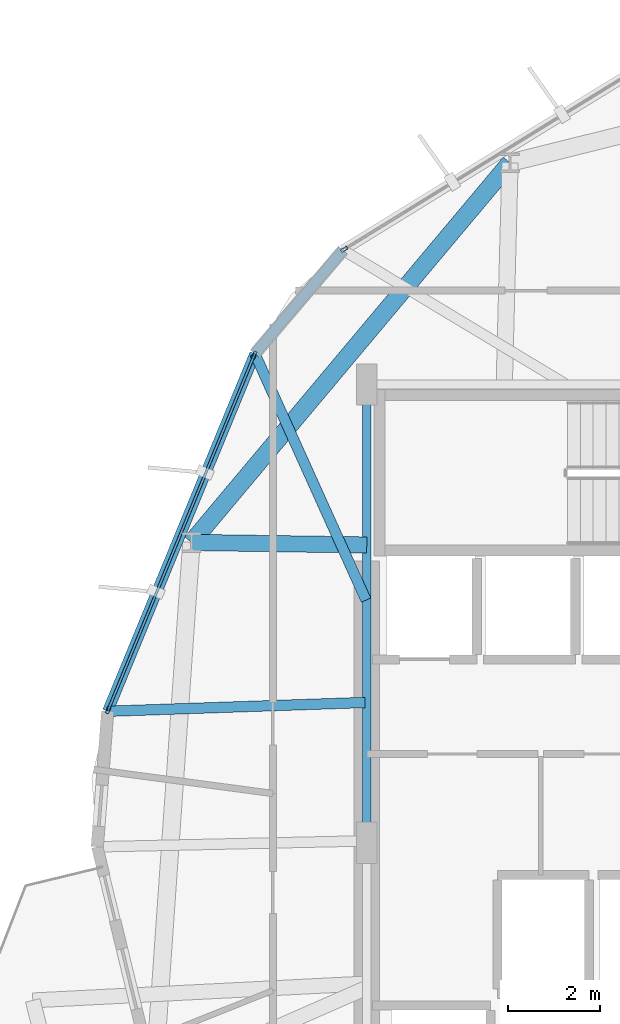
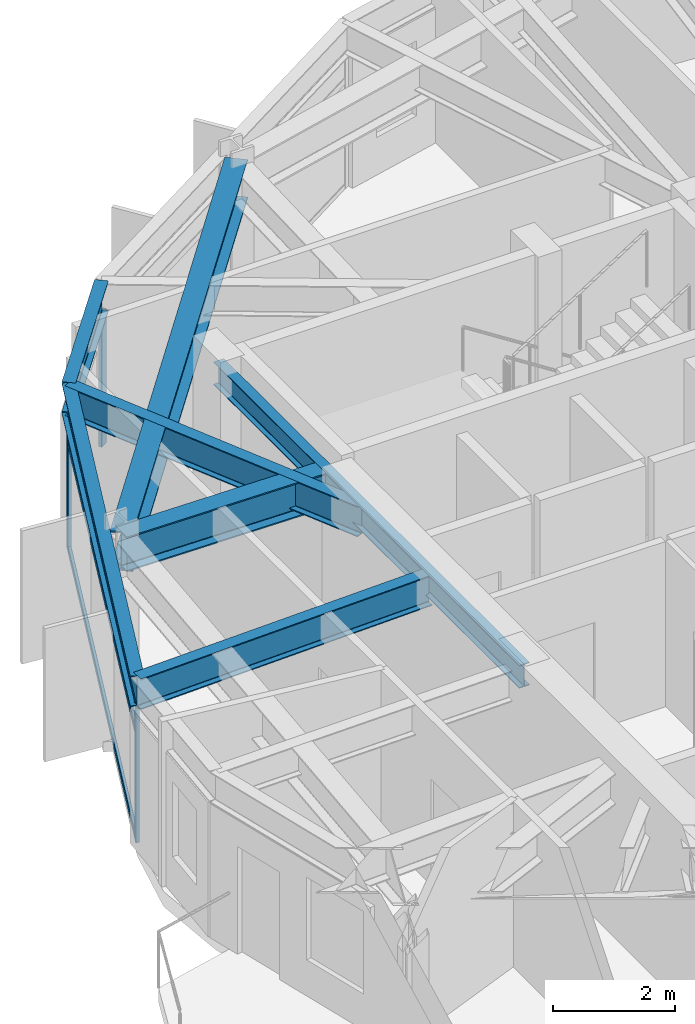
# One storey, part 6 of 21: 7 beams, 6 members, 2 elements without a shape of their own.
"""IFC4 building model written with IfcOpenShell, lengths in metres."""

import ifcopenshell
import ifcopenshell.guid

model = None  # the IFC model being written
_history = None  # IfcOwnerHistory: only IFC2X3 demands one
_inside = {}  # id of a spatial element -> (the spatial element, [elements in it])
_under = {}  # id of a project, library or spatial element -> (it, [spatial elements below it])
_declared = {}  # id of a project -> (the project, [libraries it declares])
_typed = {}  # id of a type object -> (the type object, [elements of that type])
_made_of = {}  # id of a material, layer set ... -> (it, [elements and type objects made of it])


def new_model(schema):
    """Start an empty IFC model of exactly this schema.

    Asked for "IFC4X3", IfcOpenShell would pick the latest addendum, in which some entities
    have other attributes; the version numbers below select the first issue.
    IFC2X3 requires an IfcOwnerHistory on every rooted entity: one is made here for all.
    """
    global model, _history
    if schema == "IFC4X3":
        model = ifcopenshell.file(schema_version=(4, 3, 0, 0))
    else:
        model = ifcopenshell.file(schema=schema)
    _inside.clear()
    _under.clear()
    _declared.clear()
    _typed.clear()
    _made_of.clear()
    _history = None
    if model.schema == "IFC2X3":
        org = make("IfcOrganization", Name="unknown")
        user = make(
            "IfcPersonAndOrganization",
            ThePerson=make("IfcPerson", FamilyName="unknown"),
            TheOrganization=org,
        )
        app = make(
            "IfcApplication",
            ApplicationDeveloper=org,
            Version="unknown",
            ApplicationFullName="unknown",
            ApplicationIdentifier="unknown",
        )
        _history = make(
            "IfcOwnerHistory",
            OwningUser=user,
            OwningApplication=app,
            ChangeAction="ADDED",
            CreationDate=0,
        )
    return model


def make(cls, **values):
    """One entity of the class cls with the attributes given. An attribute that is None is left unset."""
    return model.create_entity(
        cls, **{name: value for name, value in values.items() if value is not None}
    )


def rooted(cls, **values):
    """An entity with a GlobalId (a new one), such as an element, a storey or a relation."""
    return make(cls, GlobalId=ifcopenshell.guid.new(), OwnerHistory=_history, **values)


def si_unit(unit_type, name, prefix=None):
    """IfcSIUnit, for example si_unit("LENGTHUNIT", "METRE", prefix="MILLI")."""
    return make("IfcSIUnit", UnitType=unit_type, Prefix=prefix, Name=name)


def assignment(units):
    """IfcUnitAssignment: the units of a project."""
    return None if units is None else make("IfcUnitAssignment", Units=units)


def point(xyz):
    """IfcCartesianPoint."""
    return None if xyz is None else make("IfcCartesianPoint", Coordinates=xyz)


def direction(xyz):
    """IfcDirection."""
    return None if xyz is None else make("IfcDirection", DirectionRatios=xyz)


def frame(location, z_axis=None, x_axis=None):
    """IfcAxis2Placement3D, a coordinate frame: its origin and axes. An axis left out is left unset."""
    return make(
        "IfcAxis2Placement3D",
        Location=point(location),
        Axis=direction(z_axis),
        RefDirection=direction(x_axis),
    )


def frame_2d(location, x_axis=None):
    """IfcAxis2Placement2D, a coordinate frame in the plane: its origin and x axis."""
    return make(
        "IfcAxis2Placement2D", Location=point(location), RefDirection=direction(x_axis)
    )


def origin():
    """The frame at (0, 0, 0) with its axes left unset."""
    return frame((0.0, 0.0, 0.0))


def origin_2d():
    """The frame at (0, 0) in the plane with its x axis left unset."""
    return frame_2d((0.0, 0.0))


def place(relative_to, where):
    """IfcLocalPlacement: puts the frame where relative to a parent placement (None: the world)."""
    return make(
        "IfcLocalPlacement", PlacementRelTo=relative_to, RelativePlacement=where
    )


def context(
    kind, dimensions, precision=None, world=None, true_north=None, identifier=None
):
    """IfcGeometricRepresentationContext, for example the 3D "Model" context."""
    return make(
        "IfcGeometricRepresentationContext",
        ContextIdentifier=identifier,
        ContextType=kind,
        CoordinateSpaceDimension=dimensions,
        Precision=precision,
        WorldCoordinateSystem=world,
        TrueNorth=true_north,
    )


def subcontext(parent, identifier, kind, view, scale=None):
    """IfcGeometricRepresentationSubContext, for example "Body" below "Model"."""
    return make(
        "IfcGeometricRepresentationSubContext",
        ContextIdentifier=identifier,
        ContextType=kind,
        ParentContext=parent,
        TargetScale=scale,
        TargetView=view,
    )


def project(units=None, contexts=None):
    """IfcProject with its units and contexts."""
    return rooted(
        "IfcProject",
        Name="project",
        RepresentationContexts=contexts,
        UnitsInContext=assignment(units),
    )


def spatial(cls, under=None, at=None, **own):
    """A site, building, storey or space (cls), placed at a placement, below another one or the project."""
    s = rooted(cls, ObjectPlacement=at, **own)
    if under is not None:
        _under.setdefault(under.id(), (under, []))[1].append(s)
    return s


def profile(cls, at=None, kind="AREA", **sizes):
    """A parametric profile (cls). Its sizes go by their IFC names, for example OverallWidth=200.0."""
    return make(cls, ProfileType=kind, Position=at, **sizes)


def hollow_rectangle(**sizes):
    """IfcRectangleHollowProfileDef."""
    return profile("IfcRectangleHollowProfileDef", **sizes)


def i_section(**sizes):
    """IfcIShapeProfileDef."""
    return profile("IfcIShapeProfileDef", **sizes)


def extrude(swept, where, along, depth):
    """IfcExtrudedAreaSolid: the profile swept, set in the frame where, extruded along a direction by depth."""
    return make(
        "IfcExtrudedAreaSolid",
        SweptArea=swept,
        Position=where,
        ExtrudedDirection=direction(along),
        Depth=depth,
    )


def shape(context_of_items, identifier, shape_type, items):
    """IfcShapeRepresentation: the items that make up one representation, for example the "Body"."""
    return make(
        "IfcShapeRepresentation",
        ContextOfItems=context_of_items,
        RepresentationIdentifier=identifier,
        RepresentationType=shape_type,
        Items=items,
    )


def material(Name=None, Category=None):
    """IfcMaterial."""
    return make("IfcMaterial", Name=Name, Category=Category)


def layer(
    of_material, thickness, ventilated=None, Name=None, Category=None, Priority=None
):
    """IfcMaterialLayer: one layer of a wall or slab, of a material (None: an air gap)."""
    return make(
        "IfcMaterialLayer",
        Material=of_material,
        LayerThickness=thickness,
        IsVentilated=ventilated,
        Name=Name,
        Category=Category,
        Priority=Priority,
    )


def layer_set(layers, Name=None):
    """IfcMaterialLayerSet."""
    return make("IfcMaterialLayerSet", MaterialLayers=layers, LayerSetName=Name)


def material_profile(
    of_material, cross_section, Name=None, Category=None, Priority=None
):
    """IfcMaterialProfile: a cross section and its material."""
    return make(
        "IfcMaterialProfile",
        Name=Name,
        Material=of_material,
        Profile=cross_section,
        Priority=Priority,
        Category=Category,
    )


def profile_set(profiles, Name=None, composite=None):
    """IfcMaterialProfileSet."""
    return make(
        "IfcMaterialProfileSet",
        Name=Name,
        MaterialProfiles=profiles,
        CompositeProfile=composite,
    )


def made_of(thing, what):
    """Note that an element or type object is made of a material, layer set ...; save() writes the relation."""
    if what is not None:
        _made_of.setdefault(what.id(), (what, []))[1].append(thing)
    return thing


def type_object(cls, material=None, **own):
    """A type object (cls), such as IfcWallType, which elements share."""
    return made_of(rooted(cls, **own), material)


def element(
    cls,
    number,
    at=None,
    inside=None,
    cuts=None,
    type_object=None,
    material=None,
    context=None,
    identifier="Body",
    shape_type=None,
    held_by="IfcProductDefinitionShape",
    body=None,
    shapes=None,
    **own,
):
    """One element of the class cls, such as IfcWall. Its Tag is "e" and its number.

    at: its placement. inside: the storey or other place that contains it. cuts: it is an
    opening in that element (IfcRelVoidsElement). A single representation is given by context,
    identifier, shape_type and body (its items); several are given by shapes. held_by: the class
    of the entity that holds the representations. save() writes the other relations.
    """
    e = rooted(cls, Tag="e%d" % number, ObjectPlacement=at, **own)
    if body is not None:
        shapes = [shape(context, identifier, shape_type, body)]
    if shapes is not None:
        e.Representation = make(held_by, Representations=shapes)
    if inside is not None:
        _inside.setdefault(inside.id(), (inside, []))[1].append(e)
    if cuts is not None:
        rooted(
            "IfcRelVoidsElement", RelatingBuildingElement=cuts, RelatedOpeningElement=e
        )
    if type_object is not None:
        _typed.setdefault(type_object.id(), (type_object, []))[1].append(e)
    return made_of(e, material)


def aggregate(whole, parts):
    """IfcRelAggregates: a whole, such as a stair, and the parts it consists of."""
    return rooted("IfcRelAggregates", RelatingObject=whole, RelatedObjects=parts)


def save(model, path):
    """Write the relations noted so far, then the file.

    IfcRelAggregates (storeys below a building ...), IfcRelContainedInSpatialStructure (elements
    in a storey), IfcRelDefinesByType, IfcRelAssociatesMaterial and IfcRelDeclares: one each for
    every whole, place, type object, material and project.
    """
    for whole, parts in _under.values():
        aggregate(whole, parts)
    for where, things in _inside.values():
        rooted(
            "IfcRelContainedInSpatialStructure",
            RelatedElements=things,
            RelatingStructure=where,
        )
    for kind, things in _typed.values():
        rooted("IfcRelDefinesByType", RelatedObjects=things, RelatingType=kind)
    for what, things in _made_of.values():
        rooted("IfcRelAssociatesMaterial", RelatedObjects=things, RelatingMaterial=what)
    for by, libraries in _declared.values():
        rooted("IfcRelDeclares", RelatingContext=by, RelatedDefinitions=libraries)
    model.write(path)


model = new_model("IFC4")

# Units and contexts
model_context = context("Model", 3, precision=1e-05, world=origin(), true_north=direction((0.0, 1.0)))
body_context = subcontext(model_context, "Body", "Model", "MODEL_VIEW")
ifc_project = project(units=[si_unit("LENGTHUNIT", "METRE"), si_unit("AREAUNIT", "SQUARE_METRE"), si_unit("VOLUMEUNIT", "CUBIC_METRE"), si_unit("PLANEANGLEUNIT", "RADIAN"), si_unit("MASSUNIT", "GRAM", prefix="KILO")], contexts=[model_context])

# Site, building, storey
site_placement = place(None, origin())
site = spatial("IfcSite", under=ifc_project, at=site_placement, CompositionType="ELEMENT")
building_placement = place(site_placement, origin())
building = spatial("IfcBuilding", under=site, at=building_placement, Name="Soratama Intermodal Tower", CompositionType="ELEMENT")
storey_placement = place(building_placement, frame((0.0, 0.0, 149.800048828125)))
storey = spatial("IfcBuildingStorey", under=building, at=storey_placement, Name="L36", CompositionType="ELEMENT", Elevation=149.800048828125)

# Beams
ifc_material_1 = material(Name="Structural steel ASTM A992 Grade 50", Category="steel")
ifc_material_profile_1 = material_profile(ifc_material_1, i_section(OverallWidth=0.19091796875, OverallDepth=0.4599609375, WebThickness=0.010009765625, FlangeThickness=0.01611328125, FilletRadius=0.010986328125, at=origin_2d()), Name="W18X55")
ifc_profile_set_1 = profile_set([ifc_material_profile_1], Name="Structural steel ASTM A992 Grade 50")
beam_type_1 = type_object("IfcBeamType", Name="BM-FLR-W18X55", PredefinedType="BEAM", material=ifc_profile_set_1)
beam_1_placement = place(storey_placement, frame((32.60009765625, 35.0, 3.070068359375), z_axis=(0.0, -1.0, 0.0), x_axis=(1.0, 0.0, 0.0)))
element("IfcBeam", 1, at=beam_1_placement, inside=storey, type_object=beam_type_1, Name="BM-L36-CRING-08", PredefinedType="BEAM", context=body_context, shape_type="SweptSolid", body=[
    extrude(i_section(OverallWidth=0.19091796875, OverallDepth=0.4599609375, WebThickness=0.010009765625, FlangeThickness=0.01611328125, FilletRadius=0.010986328125, at=origin_2d()), origin(), (0.0, 0.0, 1.0), 10.0),
])
ifc_material_2 = material(Name="Structural steel ASTM A992 Grade 50", Category="steel")
ifc_material_profile_2 = material_profile(ifc_material_2, i_section(OverallWidth=0.35498046875, OverallDepth=0.695068359375, WebThickness=0.015380859375, FlangeThickness=0.02490234375, FilletRadius=0.01611328125, at=origin_2d()), Name="W27X146")
ifc_profile_set_2 = profile_set([ifc_material_profile_2], Name="Structural steel ASTM A992 Grade 50")
beam_type_2 = type_object("IfcBeamType", Name="BM-RING-W27X146", PredefinedType="BEAM", material=ifc_profile_set_2)
beam_2_placement = place(storey_placement, frame((32.60009765625, 31.5, 2.952392578125), z_axis=(-0.999893261134, 0.014610487289, 0.0), x_axis=(-0.014610487289, -0.999893261134, 0.0)))
element("IfcBeam", 2, at=beam_2_placement, inside=storey, type_object=beam_type_2, Name="BM-L36-RAD-05", PredefinedType="BEAM", context=body_context, shape_type="SweptSolid", body=[
    extrude(i_section(OverallWidth=0.35498046875, OverallDepth=0.695068359375, WebThickness=0.015380859375, FlangeThickness=0.02490234375, FilletRadius=0.01611328125, at=origin_2d()), origin(), (0.0, 0.0, 1.0), 3.82666015625),
])
ifc_material_3 = material(Name="Structural steel ASTM A992 Grade 50", Category="steel")
ifc_material_profile_3 = material_profile(ifc_material_3, i_section(OverallWidth=0.382080078125, OverallDepth=0.779052734375, WebThickness=0.01806640625, FlangeThickness=0.030029296875, FilletRadius=0.01806640625, at=origin_2d()), Name="W30X191")
ifc_profile_set_3 = profile_set([ifc_material_profile_3], Name="Structural steel ASTM A992 Grade 50")
beam_type_3 = type_object("IfcBeamType", Name="BM-RING-W30X191", PredefinedType="BEAM", material=ifc_profile_set_3)
beam_3_placement = place(storey_placement, frame((35.72607421875, 39.841064453125, 2.910400390625), z_axis=(-0.642791781199, -0.766040942785, 0.0), x_axis=(0.766040942785, -0.642791781199, 0.0)))
element("IfcBeam", 3, at=beam_3_placement, inside=storey, type_object=beam_type_3, Name="BM-L36-RING-04", PredefinedType="BEAM", context=body_context, shape_type="SweptSolid", body=[
    extrude(i_section(OverallWidth=0.382080078125, OverallDepth=0.779052734375, WebThickness=0.01806640625, FlangeThickness=0.030029296875, FilletRadius=0.01806640625, at=origin_2d()), origin(), (0.0, 0.0, 1.0), 10.815673828125),
])
ifc_material_4 = material(Name="Structural steel ASTM A992 Grade 50", Category="steel")
ifc_material_profile_4 = material_profile(ifc_material_4, i_section(OverallWidth=0.22900390625, OverallDepth=0.612060546875, WebThickness=0.011962890625, FlangeThickness=0.01953125, FilletRadius=0.012939453125, at=origin_2d()), Name="W24X84")
ifc_profile_set_4 = profile_set([ifc_material_profile_4], Name="Structural steel ASTM A992 Grade 50")
beam_type_4 = type_object("IfcBeamType", Name="BM-SPN-W24X84", PredefinedType="SPANDREL", material=ifc_profile_set_4)
beam_4_placement = place(storey_placement, frame((32.080078125, 37.93505859375, 2.993896484375), z_axis=(-0.647865762409, -0.761754523386, 0.0), x_axis=(0.761754523386, -0.647865762409, 0.0)))
element("IfcBeam", 4, at=beam_4_placement, inside=storey, type_object=beam_type_4, Name="BS-L36-CRN03", PredefinedType="SPANDREL", context=body_context, shape_type="SweptSolid", body=[
    extrude(i_section(OverallWidth=0.22900390625, OverallDepth=0.612060546875, WebThickness=0.011962890625, FlangeThickness=0.01953125, FilletRadius=0.012939453125, at=origin_2d()), origin(), (0.0, 0.0, 1.0), 2.966796875),
])
beam_5_placement = place(storey_placement, frame((30.157958984375, 35.675048828125, 2.993896484375), z_axis=(-0.38069888027, -0.924699065946, 0.0), x_axis=(0.924699065946, -0.38069888027, 0.0)))
element("IfcBeam", 5, at=beam_5_placement, inside=storey, type_object=beam_type_4, Name="BS-L36-F04", PredefinedType="SPANDREL", context=body_context, shape_type="SweptSolid", body=[
    extrude(i_section(OverallWidth=0.22900390625, OverallDepth=0.612060546875, WebThickness=0.011962890625, FlangeThickness=0.01953125, FilletRadius=0.012939453125, at=origin_2d()), origin(), (0.0, 0.0, 1.0), 8.439453125),
])
ifc_material_5 = material(Name="Structural steel ASTM A992 Grade 50", Category="steel")
ifc_material_profile_5 = material_profile(ifc_material_5, i_section(OverallWidth=0.22900390625, OverallDepth=0.612060546875, WebThickness=0.011962890625, FlangeThickness=0.01953125, FilletRadius=0.012939453125, at=origin_2d()), Name="W24X84")
ifc_profile_set_5 = profile_set([ifc_material_profile_5], Name="Structural steel ASTM A992 Grade 50")
beam_type_5 = type_object("IfcBeamType", Name="BM-TIE-W24X84", PredefinedType="BEAM", material=ifc_profile_set_5)
beam_6_placement = place(storey_placement, frame((32.583984375, 30.297119140625, 2.993896484375), z_axis=(-0.411204170134, 0.911543268564, 0.0), x_axis=(-0.911543268564, -0.411204170134, 0.0)))
element("IfcBeam", 6, at=beam_6_placement, inside=storey, type_object=beam_type_5, Name="BM-L36-TIE0-04", PredefinedType="BEAM", context=body_context, shape_type="SweptSolid", body=[
    extrude(i_section(OverallWidth=0.22900390625, OverallDepth=0.612060546875, WebThickness=0.011962890625, FlangeThickness=0.01953125, FilletRadius=0.012939453125, at=origin_2d()), origin(), (0.0, 0.0, 1.0), 5.89990234375),
])
beam_7_placement = place(storey_placement, frame((32.56005859375, 28.06298828125, 2.993896484375), z_axis=(-0.999416532104, -0.034155458682, 0.0), x_axis=(0.034155458682, -0.999416532104, 0.0)))
element("IfcBeam", 7, at=beam_7_placement, inside=storey, type_object=beam_type_5, Name="BM-L36-TIE1-04", PredefinedType="BEAM", context=body_context, shape_type="SweptSolid", body=[
    extrude(i_section(OverallWidth=0.22900390625, OverallDepth=0.612060546875, WebThickness=0.011962890625, FlangeThickness=0.01953125, FilletRadius=0.012939453125, at=origin_2d()), origin(), (0.0, 0.0, 1.0), 5.6181640625),
])

# Curtain wall, member
ifc_material_6 = material(Name="Double-glazed aluminium curtain wall", Category="aluminium")
ifc_layer = layer(ifc_material_6, 0.159912109375)
ifc_layer_set = layer_set([ifc_layer], Name="Double-glazed aluminium curtain wall")
curtain_wall_type = type_object("IfcCurtainWallType", Name="CW-SYS-4", PredefinedType="NOTDEFINED", material=ifc_layer_set)
curtain_wall_1_placement = place(storey_placement, origin())
curtain_wall_1 = element("IfcCurtainWall", 8, at=curtain_wall_1_placement, inside=storey, type_object=curtain_wall_type, Name="L36 Faceted Curtain Wall F03", PredefinedType="NOTDEFINED")
ifc_material_7 = material(Name="Anodised aluminium AA 6063-T6", Category="aluminium")
ifc_material_profile_6 = material_profile(ifc_material_7, hollow_rectangle(XDim=0.070068359375, YDim=0.159912109375, WallThickness=0.0048828125, InnerFilletRadius=0.0048828125, OuterFilletRadius=0.010009765625, at=origin_2d()), Name="CWM160X70X5")
ifc_profile_set_6 = profile_set([ifc_material_profile_6], Name="Anodised aluminium AA 6063-T6")
member_type_1 = type_object("IfcMemberType", Name="MT-CWM-4", PredefinedType="MULLION", material=ifc_profile_set_6)
member_1_placement = place(storey_placement, frame((32.105712890625, 37.950927734375, 0.0), z_axis=(0.0, 0.0, 1.0), x_axis=(0.524276554696, -0.851548057479, 0.0)))
member_1 = element("IfcMember", 9, at=member_1_placement, type_object=member_type_1, Name="CW-4 mullion 2", PredefinedType="MULLION", context=body_context, shape_type="SweptSolid", body=[
    extrude(hollow_rectangle(XDim=0.070068359375, YDim=0.159912109375, WallThickness=0.0048828125, InnerFilletRadius=0.0048828125, OuterFilletRadius=0.010009765625, at=origin_2d()), origin(), (0.0, 0.0, 1.0), 2.678955078125),
])
aggregate(curtain_wall_1, [member_1])

# Curtain wall, members
curtain_wall_2_placement = place(storey_placement, origin())
curtain_wall_2 = element("IfcCurtainWall", 10, at=curtain_wall_2_placement, inside=storey, type_object=curtain_wall_type, Name="L36 Faceted Curtain Wall F04", PredefinedType="NOTDEFINED")
member_2_placement = place(storey_placement, frame((30.146728515625, 35.6474609375, 0.0), z_axis=(0.0, 0.0, 1.0), x_axis=(0.924678098474, -0.380749805255, 0.0)))
member_2 = element("IfcMember", 11, at=member_2_placement, type_object=member_type_1, Name="CW-4 mullion 1", PredefinedType="MULLION", context=body_context, shape_type="SweptSolid", body=[
    extrude(hollow_rectangle(XDim=0.070068359375, YDim=0.159912109375, WallThickness=0.0048828125, InnerFilletRadius=0.0048828125, OuterFilletRadius=0.010009765625, at=origin_2d()), origin(), (0.0, 0.0, 1.0), 2.678955078125),
])
member_3_placement = place(storey_placement, frame((26.955810546875, 27.8984375, 0.0), z_axis=(0.0, 0.0, 1.0), x_axis=(0.924678098474, -0.380749805255, 0.0)))
member_3 = element("IfcMember", 12, at=member_3_placement, type_object=member_type_1, Name="CW-4 mullion 2", PredefinedType="MULLION", context=body_context, shape_type="SweptSolid", body=[
    extrude(hollow_rectangle(XDim=0.070068359375, YDim=0.159912109375, WallThickness=0.0048828125, InnerFilletRadius=0.0048828125, OuterFilletRadius=0.010009765625, at=origin_2d()), origin(), (0.0, 0.0, 1.0), 2.678955078125),
])
ifc_material_8 = material(Name="Anodised aluminium AA 6063-T6", Category="aluminium")
ifc_material_profile_7 = material_profile(ifc_material_8, hollow_rectangle(XDim=0.06005859375, YDim=0.1298828125, WallThickness=0.0048828125, InnerFilletRadius=0.0048828125, OuterFilletRadius=0.010009765625, at=origin_2d()), Name="CWT130X60X5")
ifc_profile_set_7 = profile_set([ifc_material_profile_7], Name="Anodised aluminium AA 6063-T6")
member_type_2 = type_object("IfcMemberType", Name="TT-CWT-2", PredefinedType="USERDEFINED", material=ifc_profile_set_7)
member_4_placement = place(storey_placement, frame((30.13525390625, 35.619873046875, 0.030029296875), z_axis=(-0.38074095057, -0.924681744472, 0.0), x_axis=(0.924681744472, -0.38074095057, 0.0)))
member_4 = element("IfcMember", 13, at=member_4_placement, type_object=member_type_2, Name="CW-4 transom 1.1", ObjectType="TRANSOM", PredefinedType="USERDEFINED", context=body_context, shape_type="SweptSolid", body=[
    extrude(hollow_rectangle(XDim=0.06005859375, YDim=0.1298828125, WallThickness=0.0048828125, InnerFilletRadius=0.0048828125, OuterFilletRadius=0.010009765625, at=origin_2d()), origin(), (0.0, 0.0, 1.0), 8.320556640625),
])
member_5_placement = place(storey_placement, frame((30.13525390625, 35.619873046875, 2.14990234375), z_axis=(-0.38074095057, -0.924681744472, 0.0), x_axis=(0.924681744472, -0.38074095057, 0.0)))
member_5 = element("IfcMember", 14, at=member_5_placement, type_object=member_type_2, Name="CW-4 transom 1.2", ObjectType="TRANSOM", PredefinedType="USERDEFINED", context=body_context, shape_type="SweptSolid", body=[
    extrude(hollow_rectangle(XDim=0.06005859375, YDim=0.1298828125, WallThickness=0.0048828125, InnerFilletRadius=0.0048828125, OuterFilletRadius=0.010009765625, at=origin_2d()), origin(), (0.0, 0.0, 1.0), 8.320556640625),
])
member_6_placement = place(storey_placement, frame((30.13525390625, 35.619873046875, 2.64892578125), z_axis=(-0.38074095057, -0.924681744472, 0.0), x_axis=(0.924681744472, -0.38074095057, 0.0)))
member_6 = element("IfcMember", 15, at=member_6_placement, type_object=member_type_2, Name="CW-4 transom 1.3", ObjectType="TRANSOM", PredefinedType="USERDEFINED", context=body_context, shape_type="SweptSolid", body=[
    extrude(hollow_rectangle(XDim=0.06005859375, YDim=0.1298828125, WallThickness=0.0048828125, InnerFilletRadius=0.0048828125, OuterFilletRadius=0.010009765625, at=origin_2d()), origin(), (0.0, 0.0, 1.0), 8.320556640625),
])
aggregate(curtain_wall_2, [member_2, member_3, member_4, member_5, member_6])

save(model, "model.ifc")
